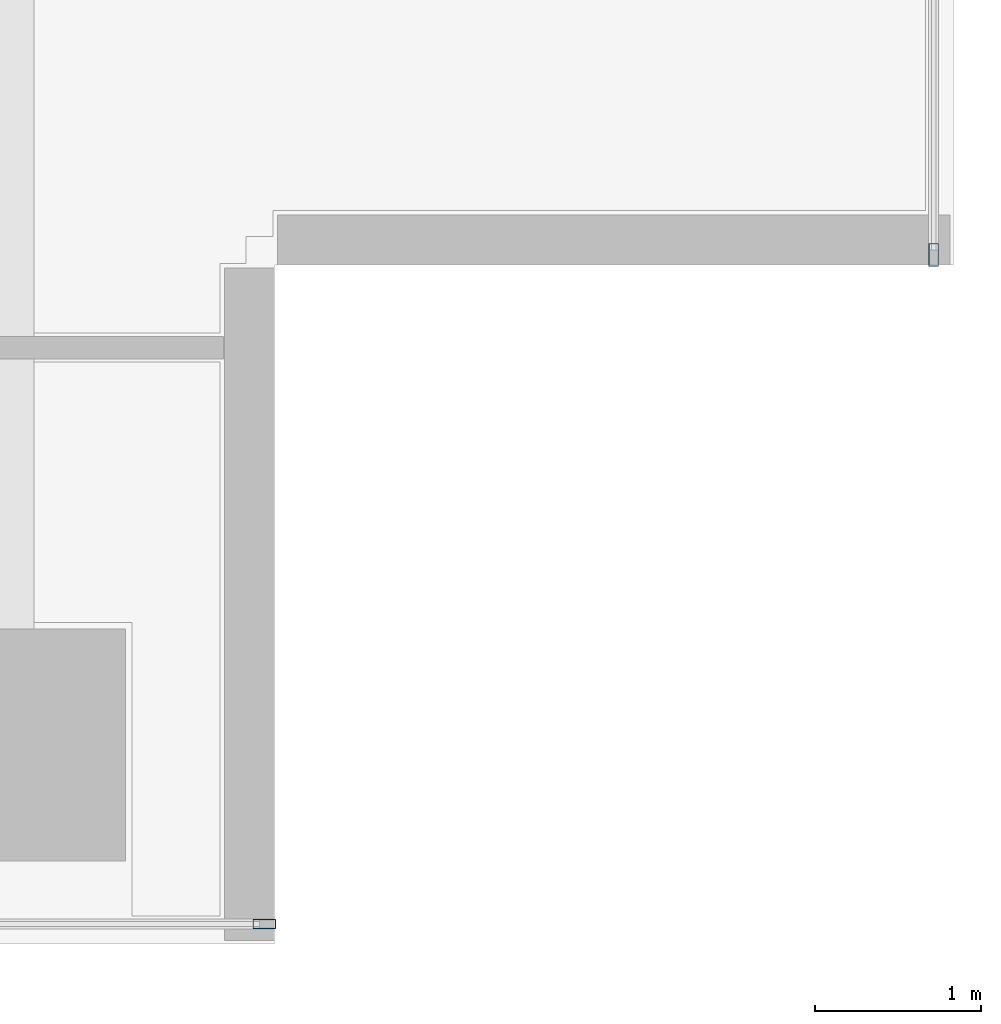
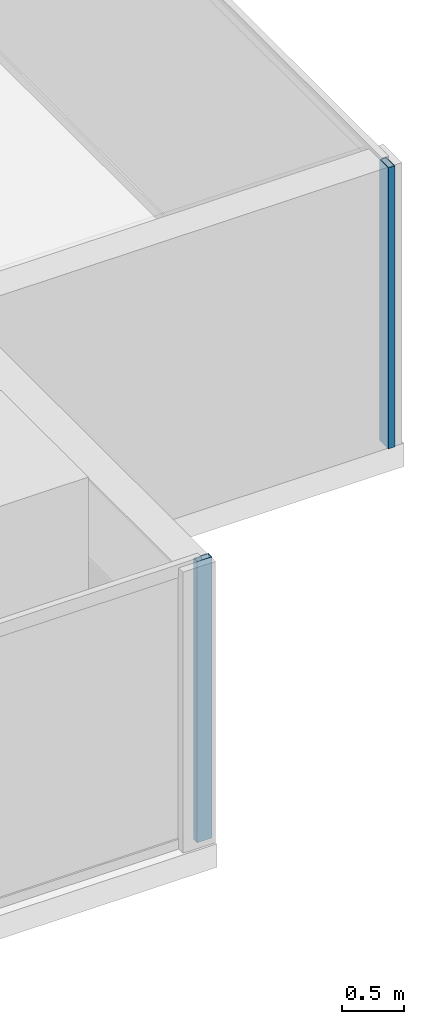
# One storey, part 11 of 25: 2 members, 2 elements without a shape of their own.
"""IFC4 building model written with IfcOpenShell, lengths in metres."""

from ifc_helpers import new_model, si_unit, direction, frame, origin, origin_2d, place, context, subcontext, project, spatial, hollow_rectangle, extrude, source, transform, mapped, material, layer, layer_set, material_profile, profile_set, type_object, element, aggregate, save


model = new_model("IFC4")

# Units and contexts
model_context = context("Model", 3, precision=1e-05, world=origin(), true_north=direction((0.0, 1.0)))
body_context = subcontext(model_context, "Body", "Model", "MODEL_VIEW")
ifc_project = project(units=[si_unit("LENGTHUNIT", "METRE"), si_unit("AREAUNIT", "SQUARE_METRE"), si_unit("VOLUMEUNIT", "CUBIC_METRE"), si_unit("PLANEANGLEUNIT", "RADIAN"), si_unit("MASSUNIT", "GRAM", prefix="KILO")], contexts=[model_context])

# Site, building, storey
site_placement = place(None, origin())
site = spatial("IfcSite", under=ifc_project, at=site_placement, CompositionType="ELEMENT")
building_placement = place(site_placement, origin())
building = spatial("IfcBuilding", under=site, at=building_placement, Name="Sumidabori Civic Tower", CompositionType="ELEMENT")
storey_placement = place(building_placement, frame((0.0, 0.0, 232.39990234375)))
storey = spatial("IfcBuildingStorey", under=building, at=storey_placement, Name="L60", CompositionType="ELEMENT", Elevation=232.39990234375)

# Curtain wall, member
ifc_material = material(Name="Anodised Bronze Aluminium AW-6063-T6", Category="aluminium")
ifc_layer = layer(ifc_material, 0.179931640625, Name="Anodised Bronze Aluminium AW-6063-T6")
ifc_layer_set = layer_set([ifc_layer], Name="Anodised Bronze Aluminium AW-6063-T6")
curtain_wall_type = type_object("IfcCurtainWallType", Name="CW-SYS-5", PredefinedType="NOTDEFINED", material=ifc_layer_set)
curtain_wall_1_placement = place(storey_placement, origin())
curtain_wall_1 = element("IfcCurtainWall", 1, at=curtain_wall_1_placement, inside=storey, type_object=curtain_wall_type, Name="Curtain Wall CW:L60:R01", PredefinedType="NOTDEFINED")
ifc_material_profile = material_profile(ifc_material, hollow_rectangle(XDim=0.06005859375, YDim=0.139892578125, WallThickness=0.0048828125, at=origin_2d()), Name="ALU MULLION 140x60")
ifc_profile_set = profile_set([ifc_material_profile], Name="Anodised Bronze Aluminium AW-6063-T6")
member_type = type_object("IfcMemberType", Name="CW-MUL-140", PredefinedType="MULLION", material=ifc_profile_set)
shared_shape = source(origin(), body_context, "Body", "SweptSolid", [
    extrude(hollow_rectangle(XDim=0.06005859375, YDim=0.139892578125, WallThickness=0.0048828125, at=origin_2d()), origin(), (0.0, 0.0, 1.0), 2.75),
])
member_1_placement = place(storey_placement, frame((18.340087890625, -11.8798828125, 0.0), z_axis=(0.0, 0.0, 1.0), x_axis=(0.0, 1.0, 0.0)))
member_1 = element("IfcMember", 2, at=member_1_placement, type_object=member_type, Name="CW-5 mullion 5", PredefinedType="MULLION", context=body_context, shape_type="MappedRepresentation", body=[
    mapped(shared_shape, transform((0.0, 0.0, 0.0), x_axis=(1.0, 0.0, 0.0), y_axis=(0.0, 1.0, 0.0), z_axis=(0.0, 0.0, 1.0), scale=1.0)),
])
aggregate(curtain_wall_1, [member_1])

curtain_wall_2_placement = place(storey_placement, origin())
curtain_wall_2 = element("IfcCurtainWall", 3, at=curtain_wall_2_placement, inside=storey, type_object=curtain_wall_type, Name="Curtain Wall CW:L60:R04", PredefinedType="NOTDEFINED")
member_2_placement = place(storey_placement, frame((22.3798828125, -7.840087890625, 0.0), z_axis=(0.0, 0.0, 1.0), x_axis=(-1.0, 0.0, 0.0)))
member_2 = element("IfcMember", 4, at=member_2_placement, type_object=member_type, Name="CW-5 mullion 1", PredefinedType="MULLION", context=body_context, shape_type="MappedRepresentation", body=[
    mapped(shared_shape, transform((0.0, 0.0, 0.0), x_axis=(1.0, 0.0, 0.0), y_axis=(0.0, 1.0, 0.0), z_axis=(0.0, 0.0, 1.0), scale=1.0)),
])
aggregate(curtain_wall_2, [member_2])

save(model, "model.ifc")
